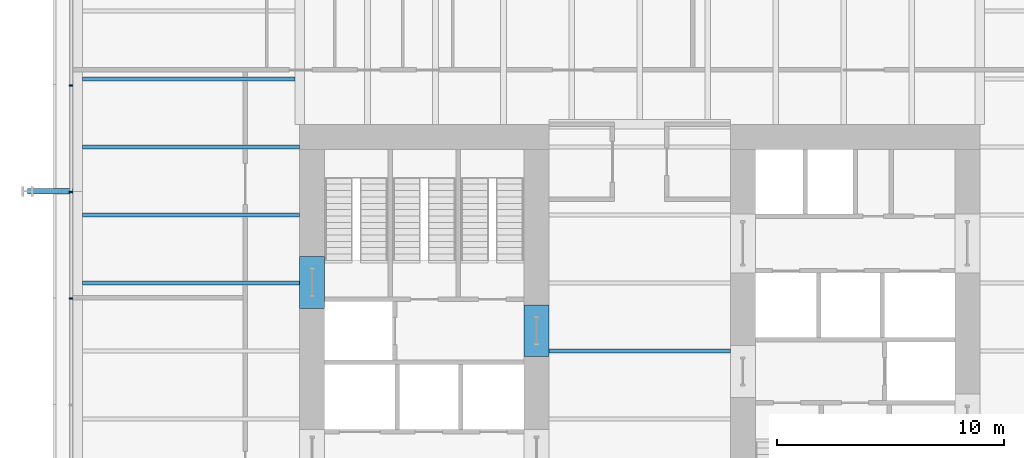
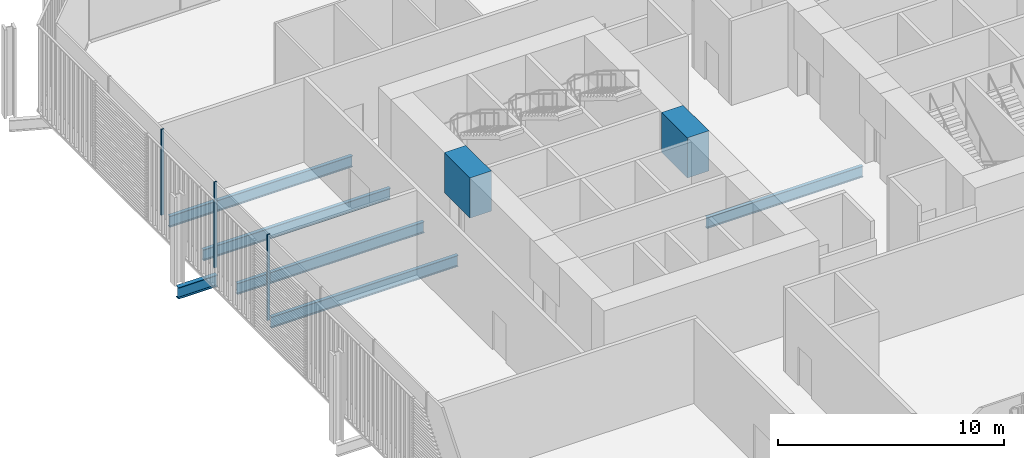
# One storey, part 7 of 21: 8 beams, 3 members, 1 element without a shape of its own.
"""IFC4 building model written with IfcOpenShell, lengths in metres."""

from ifc_helpers import new_model, si_unit, direction, frame, origin, origin_2d, place, context, subcontext, project, spatial, rectangle, i_section, extrude, material, layer, layer_set, material_profile, profile_set, type_object, element, aggregate, save


model = new_model("IFC4")

# Units and contexts
model_context = context("Model", 3, precision=1e-05, world=origin(), true_north=direction((0.0, 1.0)))
body_context = subcontext(model_context, "Body", "Model", "MODEL_VIEW")
ifc_project = project(units=[si_unit("LENGTHUNIT", "METRE"), si_unit("AREAUNIT", "SQUARE_METRE"), si_unit("VOLUMEUNIT", "CUBIC_METRE"), si_unit("PLANEANGLEUNIT", "RADIAN"), si_unit("MASSUNIT", "GRAM", prefix="KILO")], contexts=[model_context])

# Site, building, storey
site_placement = place(None, origin())
site = spatial("IfcSite", under=ifc_project, at=site_placement, CompositionType="ELEMENT")
building_placement = place(site_placement, origin())
building = spatial("IfcBuilding", under=site, at=building_placement, Name="Millrace Tower", CompositionType="ELEMENT")
storey_placement = place(building_placement, frame((0.0, 0.0, 16.10009765625)))
storey = spatial("IfcBuildingStorey", under=building, at=storey_placement, Name="L04", CompositionType="ELEMENT", Elevation=16.10009765625)

# Curtain wall, members
ifc_material_1 = material(Name="Aluminium and glass", Category="aluminium")
ifc_layer = layer(ifc_material_1, 0.14990234375)
ifc_layer_set = layer_set([ifc_layer], Name="Aluminium and glass")
curtain_wall_type = type_object("IfcCurtainWallType", Name="CW-2 data hall insulated curtain wall", PredefinedType="NOTDEFINED", material=ifc_layer_set)
curtain_wall_placement = place(storey_placement, origin())
curtain_wall = element("IfcCurtainWall", 1, at=curtain_wall_placement, inside=storey, type_object=curtain_wall_type, Name="Curtain wall A-F08 L04", PredefinedType="NOTDEFINED")
ifc_material_2 = material(Name="Aluminium", Category="aluminium")
ifc_material_profile_1 = material_profile(ifc_material_2, rectangle(XDim=0.06494140625, YDim=0.14990234375, at=origin_2d()))
ifc_profile_set_1 = profile_set([ifc_material_profile_1], Name="Aluminium")
member_type = type_object("IfcMemberType", Name="CW-2 data hall insulated curtain wall mullion", PredefinedType="MULLION", material=ifc_profile_set_1)
member_1_placement = place(storey_placement, frame((-25.074951171875, 11.717529296875, 0.159912109375), z_axis=(0.0, 0.0, 1.0), x_axis=(0.0, -1.0, 0.0)))
member_1 = element("IfcMember", 2, at=member_1_placement, type_object=member_type, Name="CW2 mullion A-F08.3", PredefinedType="MULLION", context=body_context, shape_type="SweptSolid", body=[
    extrude(rectangle(XDim=0.06494140625, YDim=0.14990234375, at=origin_2d()), origin(), (0.0, 0.0, 1.0), 4.639892578125),
])
member_2_placement = place(storey_placement, frame((-25.074951171875, 7.017578125, 0.159912109375), z_axis=(0.0, 0.0, 1.0), x_axis=(0.0, -1.0, 0.0)))
member_2 = element("IfcMember", 3, at=member_2_placement, type_object=member_type, Name="CW2 mullion A-F08.4", PredefinedType="MULLION", context=body_context, shape_type="SweptSolid", body=[
    extrude(rectangle(XDim=0.06494140625, YDim=0.14990234375, at=origin_2d()), origin(), (0.0, 0.0, 1.0), 4.639892578125),
])
member_3_placement = place(storey_placement, frame((-25.074951171875, 2.3173828125, 0.159912109375), z_axis=(0.0, 0.0, 1.0), x_axis=(0.0, -1.0, 0.0)))
member_3 = element("IfcMember", 4, at=member_3_placement, type_object=member_type, Name="CW2 mullion A-F08.5", PredefinedType="MULLION", context=body_context, shape_type="SweptSolid", body=[
    extrude(rectangle(XDim=0.06494140625, YDim=0.14990234375, at=origin_2d()), origin(), (0.0, 0.0, 1.0), 4.639892578125),
])
aggregate(curtain_wall, [member_1, member_2, member_3])

# Beams
ifc_material_3 = material(Name="Concrete C80", Category="concrete")
ifc_material_profile_2 = material_profile(ifc_material_3, rectangle(XDim=1.10009765625, YDim=2.175048828125, at=origin_2d()))
ifc_profile_set_2 = profile_set([ifc_material_profile_2], Name="Concrete C80")
beam_type_1 = type_object("IfcBeamType", Name="Coupling beam 1100 x 2175 Concrete C80, 1300 opening", PredefinedType="BEAM", material=ifc_profile_set_2)
beam_1_placement = place(storey_placement, frame((-14.449951171875, 1.88818359375, 3.4873046875), z_axis=(0.0, 1.0, 0.0), x_axis=(-1.0, 0.0, 0.0)))
element("IfcBeam", 5, at=beam_1_placement, inside=storey, type_object=beam_type_1, Name="Coupling beam W L04", PredefinedType="BEAM", context=body_context, shape_type="SweptSolid", body=[
    extrude(rectangle(XDim=1.10009765625, YDim=2.175048828125, at=origin_2d()), origin(), (0.0, 0.0, 1.0), 2.28369140625),
])
beam_2_placement = place(storey_placement, frame((-4.550048828125, -0.241943359375, 3.4873046875), z_axis=(0.0, 1.0, 0.0), x_axis=(-1.0, 0.0, 0.0)))
element("IfcBeam", 6, at=beam_2_placement, inside=storey, type_object=beam_type_1, Name="Coupling beam W L04", PredefinedType="BEAM", context=body_context, shape_type="SweptSolid", body=[
    extrude(rectangle(XDim=1.10009765625, YDim=2.175048828125, at=origin_2d()), origin(), (0.0, 0.0, 1.0), 2.283935546875),
])
ifc_material_4 = material(Name="Steel ASTM A992 Grade 50", Category="steel")
ifc_material_profile_3 = material_profile(ifc_material_4, i_section(OverallWidth=0.177978515625, OverallDepth=0.599365234375, WebThickness=0.010009765625, FlangeThickness=0.012939453125, FilletRadius=0.012939453125, at=origin_2d()))
ifc_profile_set_3 = profile_set([ifc_material_profile_3], Name="Steel ASTM A992 Grade 50")
beam_type_2 = type_object("IfcBeamType", Name="Floor beam W24x55", PredefinedType="JOIST", material=ifc_profile_set_3)
beam_3_placement = place(storey_placement, frame((-4.0, 0.0, -0.52490234375), z_axis=(1.0, 0.0, 0.0), x_axis=(0.0, 1.0, 0.0)))
element("IfcBeam", 7, at=beam_3_placement, inside=storey, type_object=beam_type_2, Name="BM-A-L04-S1-S020", PredefinedType="JOIST", context=body_context, shape_type="SweptSolid", body=[
    extrude(i_section(OverallWidth=0.177978515625, OverallDepth=0.599365234375, WebThickness=0.010009765625, FlangeThickness=0.012939453125, FilletRadius=0.012939453125, at=origin_2d()), origin(), (0.0, 0.0, 1.0), 8.0),
])
ifc_material_5 = material(Name="Steel ASTM A992 Grade 50", Category="steel")
ifc_material_profile_4 = material_profile(ifc_material_5, i_section(OverallWidth=0.1787109375, OverallDepth=0.60205078125, WebThickness=0.010986328125, FlangeThickness=0.014892578125, FilletRadius=0.0126953125, at=origin_2d()))
ifc_profile_set_4 = profile_set([ifc_material_profile_4], Name="Steel ASTM A992 Grade 50")
beam_type_3 = type_object("IfcBeamType", Name="Floor beam W24x62", PredefinedType="JOIST", material=ifc_profile_set_4)
for number, where, z_axis, x_axis, name in (
    (8, (-24.578369140625, 3.0, -0.526123046875), (1.0, 0.0, 0.0), (0.0, 1.0, 0.0), "BM-A-L04-S1-S024"),
    (9, (-24.578369140625, 6.0, -0.526123046875), (1.0, 0.0, 0.0), (0.0, 1.0, 0.0), "BM-A-L04-S1-S027"),
    (10, (-24.578369140625, 9.0, -0.526123046875), (1.0, 0.0, 0.0), (0.0, 1.0, 0.0), "BM-A-L04-S1-S030"),
):
    element("IfcBeam", number, at=place(storey_placement, frame(where, z_axis=z_axis, x_axis=x_axis)), inside=storey, type_object=beam_type_3, Name=name, PredefinedType="JOIST", context=body_context, shape_type="SweptSolid", body=[
        extrude(i_section(OverallWidth=0.1787109375, OverallDepth=0.60205078125, WebThickness=0.010986328125, FlangeThickness=0.014892578125, FilletRadius=0.0126953125, at=origin_2d()), origin(), (0.0, 0.0, 1.0), 9.578369140625),
    ])
beam_4_placement = place(storey_placement, frame((-24.578369140625, 12.0, -0.526123046875), z_axis=(1.0, 0.0, 0.0), x_axis=(0.0, 1.0, 0.0)))
element("IfcBeam", 11, at=beam_4_placement, inside=storey, type_object=beam_type_3, Name="BM-A-L04-S1-S032", PredefinedType="JOIST", context=body_context, shape_type="SweptSolid", body=[
    extrude(i_section(OverallWidth=0.1787109375, OverallDepth=0.60205078125, WebThickness=0.010986328125, FlangeThickness=0.014892578125, FilletRadius=0.0126953125, at=origin_2d()), origin(), (0.0, 0.0, 1.0), 9.3662109375),
])
ifc_material_6 = material(Name="Steel ASTM A992 Grade 50", Category="steel")
ifc_material_profile_5 = material_profile(ifc_material_6, i_section(OverallWidth=0.23046875, OverallDepth=0.6171875, WebThickness=0.01318359375, FlangeThickness=0.022216796875, FilletRadius=0.012939453125, at=origin_2d()))
ifc_profile_set_5 = profile_set([ifc_material_profile_5], Name="Steel ASTM A992 Grade 50")
beam_type_4 = type_object("IfcBeamType", Name="Link beam W24x94", PredefinedType="BEAM", material=ifc_profile_set_5)
beam_5_placement = place(storey_placement, frame((-25.0, 7.050048828125, -0.53369140625), z_axis=(-1.0, 0.0, 0.0), x_axis=(0.0, -1.0, 0.0)))
element("IfcBeam", 12, at=beam_5_placement, inside=storey, type_object=beam_type_4, Name="LNK-A-L04-S1-03", PredefinedType="BEAM", context=body_context, shape_type="SweptSolid", body=[
    extrude(i_section(OverallWidth=0.23046875, OverallDepth=0.6171875, WebThickness=0.01318359375, FlangeThickness=0.022216796875, FilletRadius=0.012939453125, at=origin_2d()), origin(), (0.0, 0.0, 1.0), 2.0),
])

save(model, "model.ifc")
